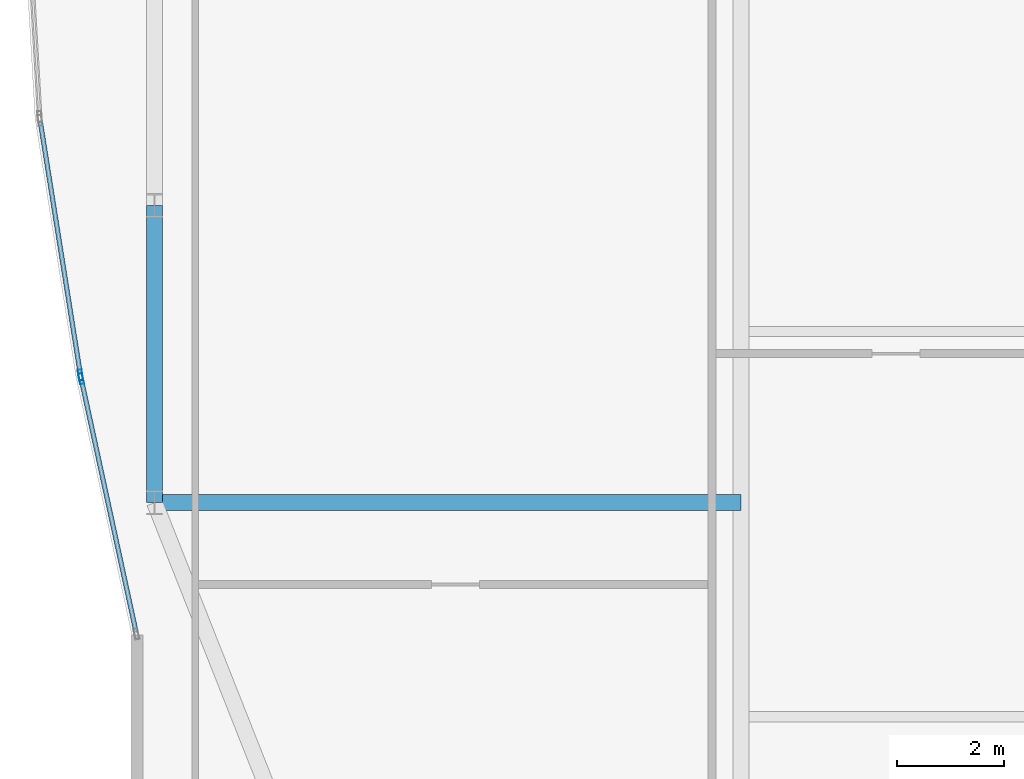
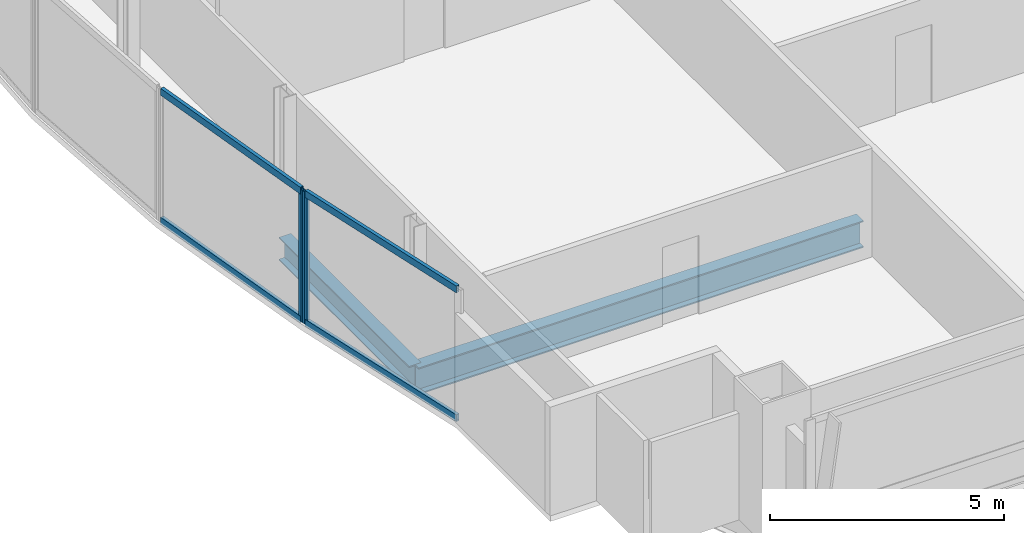
# One storey, part 6 of 30: 6 members, 2 beams, 2 elements without a shape of their own.
"""IFC4 building model written with IfcOpenShell, lengths in metres."""

from ifc_helpers import new_model, si_unit, direction, frame, origin, origin_2d, place, context, subcontext, project, spatial, hollow_rectangle, i_section, extrude, material, material_profile, profile_set, type_object, element, aggregate, save


model = new_model("IFC4")

# Units and contexts
model_context = context("Model", 3, precision=1e-05, world=origin(), true_north=direction((0.0, 1.0)))
body_context = subcontext(model_context, "Body", "Model", "MODEL_VIEW")
ifc_project = project(units=[si_unit("LENGTHUNIT", "METRE"), si_unit("AREAUNIT", "SQUARE_METRE"), si_unit("VOLUMEUNIT", "CUBIC_METRE"), si_unit("PLANEANGLEUNIT", "RADIAN"), si_unit("MASSUNIT", "GRAM", prefix="KILO")], contexts=[model_context])

# Site, building, storey
site_placement = place(None, origin())
site = spatial("IfcSite", under=ifc_project, at=site_placement, CompositionType="ELEMENT")
building_placement = place(site_placement, origin())
building = spatial("IfcBuilding", under=site, at=building_placement, Name="Khoronbel Lancet Exchange", CompositionType="ELEMENT")
storey_placement = place(building_placement, frame((0.0, 0.0, 217.39990234375)))
storey = spatial("IfcBuildingStorey", under=building, at=storey_placement, Name="L55", CompositionType="ELEMENT", Elevation=217.39990234375)

# Beams
ifc_material_1 = material(Name="Steel S355", Category="steel")
ifc_material_profile_1 = material_profile(ifc_material_1, i_section(OverallWidth=0.300048828125, OverallDepth=0.699951171875, WebThickness=0.01708984375, FlangeThickness=0.031982421875, at=origin_2d()), Name="HEB 700")
ifc_profile_set_1 = profile_set([ifc_material_profile_1], Name="Steel S355")
beam_type_1 = type_object("IfcBeamType", Name="BM-BG3", PredefinedType="BEAM", material=ifc_profile_set_1)
beam_1_placement = place(storey_placement, frame((7.27001953125, 19.199951171875, -0.510009765625), z_axis=(1.0, 0.0, 0.0), x_axis=(0.0, 1.0, 0.0)))
element("IfcBeam", 1, at=beam_1_placement, inside=storey, type_object=beam_type_1, Name="Level L55 west lens tie girder LG1W", PredefinedType="BEAM", context=body_context, shape_type="SweptSolid", body=[
    extrude(i_section(OverallWidth=0.300048828125, OverallDepth=0.699951171875, WebThickness=0.01708984375, FlangeThickness=0.031982421875, at=origin_2d()), origin(), (0.0, 0.0, 1.0), 10.955078125),
])
ifc_material_profile_2 = material_profile(ifc_material_1, i_section(OverallWidth=0.300048828125, OverallDepth=0.60009765625, WebThickness=0.015380859375, FlangeThickness=0.030029296875, at=origin_2d()), Name="HEB 600")
ifc_profile_set_2 = profile_set([ifc_material_profile_2], Name="Steel S355")
beam_type_2 = type_object("IfcBeamType", Name="BM-BSP2", PredefinedType="SPANDREL", material=ifc_profile_set_2)
beam_2_placement = place(storey_placement, frame((7.27001953125, 24.75, -0.4599609375), z_axis=(0.0, -1.0, 0.0), x_axis=(1.0, 0.0, 0.0)))
element("IfcBeam", 2, at=beam_2_placement, inside=storey, type_object=beam_type_2, Name="Level L55 perimeter spandrel beam SP20", PredefinedType="SPANDREL", context=body_context, shape_type="SweptSolid", body=[
    extrude(i_section(OverallWidth=0.300048828125, OverallDepth=0.60009765625, WebThickness=0.015380859375, FlangeThickness=0.030029296875, at=origin_2d()), origin(), (0.0, 0.0, 1.0), 5.550048828125),
])

# Curtain wall, member
ifc_material_2 = material(Name="Low-E Solar Control Insulating Glass", Category="glass")
curtain_wall_type = type_object("IfcCurtainWallType", Name="CW-4", PredefinedType="NOTDEFINED", material=ifc_material_2)
curtain_wall_1_placement = place(storey_placement, origin())
curtain_wall_1 = element("IfcCurtainWall", 3, at=curtain_wall_1_placement, inside=storey, type_object=curtain_wall_type, Name="Unitised curtain wall CW-L55-E04", PredefinedType="NOTDEFINED")
ifc_material_3 = material(Name="Bronze-Anodised Aluminium 6063-T6", Category="aluminium")
ifc_material_profile_3 = material_profile(ifc_material_3, hollow_rectangle(XDim=0.074951171875, YDim=0.199951171875, WallThickness=0.0048828125, at=origin_2d()), Name="ALU MULLION 75x200")
ifc_profile_set_3 = profile_set([ifc_material_profile_3], Name="Bronze-Anodised Aluminium 6063-T6")
member_type_1 = type_object("IfcMemberType", Name="MEM-CWM2", PredefinedType="MULLION", material=ifc_profile_set_3)
member_1_placement = place(storey_placement, frame((5.899658203125, 21.51318359375, 0.0), z_axis=(0.0, 0.0, 1.0), x_axis=(-0.977341174585, -0.211670093448, 0.0)))
member_1 = element("IfcMember", 4, at=member_1_placement, type_object=member_type_1, Name="CW4 mullion 2", PredefinedType="MULLION", context=body_context, shape_type="SweptSolid", body=[
    extrude(hollow_rectangle(XDim=0.074951171875, YDim=0.199951171875, WallThickness=0.0048828125, at=origin_2d()), origin(), (0.0, 0.0, 1.0), 3.440185546875),
])

curtain_wall_2_placement = place(storey_placement, origin())
curtain_wall_2 = element("IfcCurtainWall", 5, at=curtain_wall_2_placement, inside=storey, type_object=curtain_wall_type, Name="Unitised curtain wall CW-L55-E05", PredefinedType="NOTDEFINED")
member_2_placement = place(storey_placement, frame((5.8857421875, 21.5869140625, 0.0), z_axis=(0.0, 0.0, 1.0), x_axis=(-0.987661213762, -0.156605641119, 0.0)))
member_2 = element("IfcMember", 6, at=member_2_placement, type_object=member_type_1, Name="CW4 mullion 1", PredefinedType="MULLION", context=body_context, shape_type="SweptSolid", body=[
    extrude(hollow_rectangle(XDim=0.074951171875, YDim=0.199951171875, WallThickness=0.0048828125, at=origin_2d()), origin(), (0.0, 0.0, 1.0), 3.440185546875),
])

# Member
ifc_material_profile_4 = material_profile(ifc_material_3, hollow_rectangle(XDim=0.0849609375, YDim=0.179931640625, WallThickness=0.0048828125, at=origin_2d()), Name="ALU TRANSOM 85x180")
ifc_profile_set_4 = profile_set([ifc_material_profile_4], Name="Bronze-Anodised Aluminium 6063-T6")
member_type_2 = type_object("IfcMemberType", Name="MEM-CWT1", PredefinedType="USERDEFINED", material=ifc_profile_set_4)
member_3_placement = place(storey_placement, frame((6.924072265625, 16.782958984375, 0.04248046875), z_axis=(-0.211684556927, 0.977338042009, 0.0), x_axis=(-0.977338042009, -0.211684556927, 0.0)))
member_3 = element("IfcMember", 7, at=member_3_placement, type_object=member_type_2, Name="CW4 transom 1.1", ObjectType="TRANSOM", PredefinedType="USERDEFINED", context=body_context, shape_type="SweptSolid", body=[
    extrude(hollow_rectangle(XDim=0.0849609375, YDim=0.179931640625, WallThickness=0.0048828125, at=origin_2d()), origin(), (0.0, 0.0, 1.0), 4.802490234375),
])

member_4_placement = place(storey_placement, frame((6.924072265625, 16.782958984375, 3.397705078125), z_axis=(-0.211684556927, 0.977338042009, 0.0), x_axis=(-0.977338042009, -0.211684556927, 0.0)))
member_4 = element("IfcMember", 8, at=member_4_placement, type_object=member_type_2, Name="CW4 transom 1.2", ObjectType="TRANSOM", PredefinedType="USERDEFINED", context=body_context, shape_type="SweptSolid", body=[
    extrude(hollow_rectangle(XDim=0.0849609375, YDim=0.179931640625, WallThickness=0.0048828125, at=origin_2d()), origin(), (0.0, 0.0, 1.0), 4.802490234375),
])

aggregate(curtain_wall_1, [member_1, member_3, member_4])

member_5_placement = place(storey_placement, frame((5.8798828125, 21.6240234375, 0.04248046875), z_axis=(-0.156587185938, 0.987664139877, 0.0), x_axis=(-0.987664139877, -0.156587185938, 0.0)))
member_5 = element("IfcMember", 9, at=member_5_placement, type_object=member_type_2, Name="CW4 transom 1.1", ObjectType="TRANSOM", PredefinedType="USERDEFINED", context=body_context, shape_type="SweptSolid", body=[
    extrude(hollow_rectangle(XDim=0.0849609375, YDim=0.179931640625, WallThickness=0.0048828125, at=origin_2d()), origin(), (0.0, 0.0, 1.0), 4.736572265625),
])

member_6_placement = place(storey_placement, frame((5.8798828125, 21.6240234375, 3.397705078125), z_axis=(-0.156587185938, 0.987664139877, 0.0), x_axis=(-0.987664139877, -0.156587185938, 0.0)))
member_6 = element("IfcMember", 10, at=member_6_placement, type_object=member_type_2, Name="CW4 transom 1.2", ObjectType="TRANSOM", PredefinedType="USERDEFINED", context=body_context, shape_type="SweptSolid", body=[
    extrude(hollow_rectangle(XDim=0.0849609375, YDim=0.179931640625, WallThickness=0.0048828125, at=origin_2d()), origin(), (0.0, 0.0, 1.0), 4.736572265625),
])

aggregate(curtain_wall_2, [member_2, member_5, member_6])

save(model, "model.ifc")
